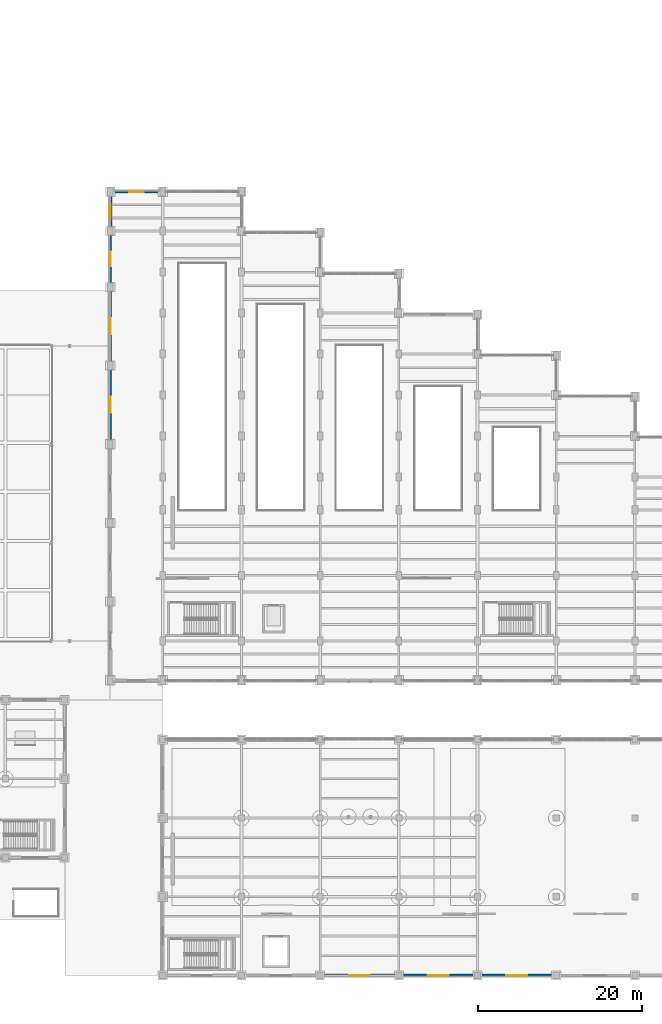
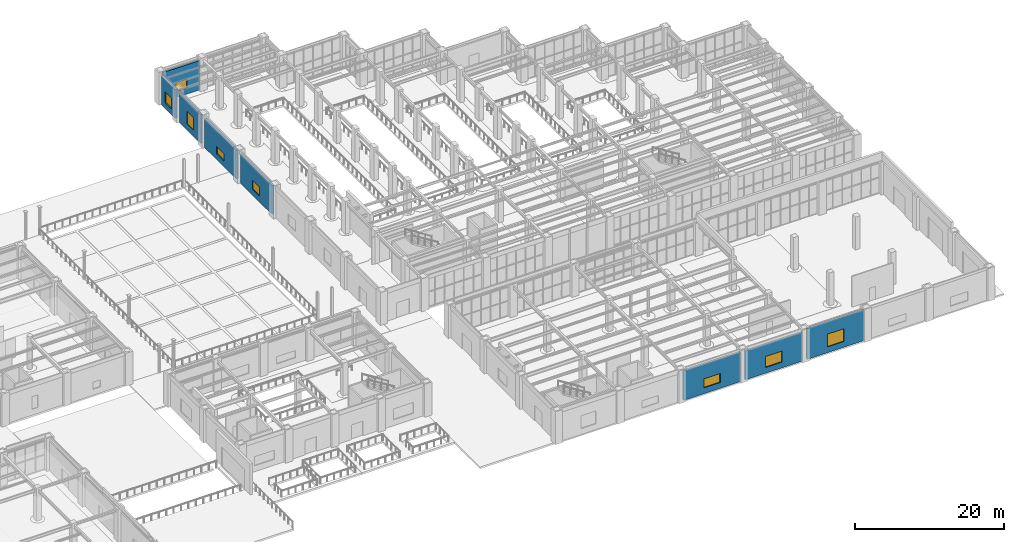
# One storey, part 135 of 164: 8 walls, 8 windows, 8 openings.
"""IFC4 building model written with IfcOpenShell, lengths in metres."""

from ifc_helpers import new_model, si_unit, direction, frame, frame_2d, origin, place, context, subcontext, project, spatial, rectangle, extrude, material, layer, layer_set, type_object, element, fill, save


model = new_model("IFC4")

# Units and contexts
model_context = context("Model", 3, precision=1e-05, world=origin(), true_north=direction((0.0, 1.0)))
body_context = subcontext(model_context, "Body", "Model", "MODEL_VIEW")
ifc_project = project(units=[si_unit("LENGTHUNIT", "METRE"), si_unit("AREAUNIT", "SQUARE_METRE"), si_unit("VOLUMEUNIT", "CUBIC_METRE"), si_unit("PLANEANGLEUNIT", "RADIAN"), si_unit("MASSUNIT", "GRAM", prefix="KILO")], contexts=[model_context])

# Site, building, storey
site_placement = place(None, origin())
site = spatial("IfcSite", under=ifc_project, at=site_placement, CompositionType="ELEMENT")
building_placement = place(site_placement, origin())
building = spatial("IfcBuilding", under=site, at=building_placement, Name="Mavantir Sound Aquarium", CompositionType="ELEMENT")
storey_placement = place(building_placement, origin())
storey = spatial("IfcBuildingStorey", under=building, at=storey_placement, Name="L00", CompositionType="ELEMENT", Elevation=0.0)

# Wall, opening, window
ifc_material_1 = material(Name="Coral-Buff Architectural Precast Concrete C40/50", Category="concrete")
ifc_layer_1 = layer(ifc_material_1, 0.31005859375, Name="Coral-Buff Architectural Precast Concrete C40/50")
ifc_layer_set_1 = layer_set([ifc_layer_1], Name="Coral-Buff Architectural Precast Concrete C40/50")
wall_type_1 = type_object("IfcWallType", Name="EW-CORAL-310", PredefinedType="SOLIDWALL", material=ifc_layer_set_1)
wall_1_placement = place(storey_placement, frame((101.60009765625, 73.89208984375, 0.0), z_axis=(0.0, 0.0, 1.0), x_axis=(0.0, -1.0, 0.0)))
wall_1 = element("IfcWall", 1, at=wall_1_placement, inside=storey, type_object=wall_type_1, Name="L00 exterior facade wall EW-02 92", PredefinedType="SOLIDWALL", context=body_context, shape_type="SweptSolid", body=[
    extrude(rectangle(XDim=8.583984375, YDim=0.31005859375, at=frame_2d((4.2919921875, 0.0))), origin(), (0.0, 0.0, 1.0), 4.736083984375),
])
opening_1_placement = place(wall_1_placement, frame((3.31689453125, 0.0, 0.949951171875)))
opening_1 = element("IfcOpeningElement", 2, at=opening_1_placement, cuts=wall_1, Name="Opening W-22", PredefinedType="OPENING", context=body_context, shape_type="SweptSolid", body=[
    extrude(rectangle(XDim=1.949951171875, YDim=1.5, at=frame_2d((0.97509765625, 0.75))), frame((0.0, 0.1650390625, 0.0), z_axis=(0.0, -1.0, 0.0), x_axis=(1.0, 0.0, 0.0)), (0.0, 0.0, 1.0), 0.330078125),
])
ifc_material_2 = material(Name="Thermally Broken Aluminium and Low-E Glass", Category="aluminium")
window_type_1 = type_object("IfcWindowType", Name="WIN-EXT-22", PartitioningType="DOUBLE_PANEL_VERTICAL", PredefinedType="WINDOW", material=ifc_material_2)
window_1_placement = place(opening_1_placement, origin())
window_1 = element("IfcWindow", 3, at=window_1_placement, inside=storey, type_object=window_type_1, Name="L00 facade window W-22 22", OverallHeight=1.5, OverallWidth=1.949951171875, PartitioningType="SINGLE_PANEL", PredefinedType="WINDOW", context=body_context, shape_type="SweptSolid", body=[
    extrude(rectangle(XDim=1.949951171875, YDim=1.5, at=frame_2d((0.97509765625, 0.75))), frame((0.0, 0.030029296875, 0.0), z_axis=(0.0, -1.0, 0.0), x_axis=(1.0, 0.0, 0.0)), (0.0, 0.0, 1.0), 0.06005859375),
])
fill(opening_1, window_1)

wall_2_placement = place(storey_placement, frame((137.18310546875, 0.0, 0.0), z_axis=(0.0, 0.0, 1.0), x_axis=(1.0, 0.0, 0.0)))
wall_2 = element("IfcWall", 4, at=wall_2_placement, inside=storey, type_object=wall_type_1, Name="L00 exterior facade wall EW-02 122", PredefinedType="SOLIDWALL", context=body_context, shape_type="SweptSolid", body=[
    extrude(rectangle(XDim=8.833984375, YDim=0.31005859375, at=frame_2d((4.4169921875, 0.0))), origin(), (0.0, 0.0, 1.0), 4.7080078125),
])
opening_2_placement = place(wall_2_placement, frame((3.14208984375, 0.0, 0.949951171875)))
opening_2 = element("IfcOpeningElement", 5, at=opening_2_placement, cuts=wall_2, Name="Opening W-35", PredefinedType="OPENING", context=body_context, shape_type="SweptSolid", body=[
    extrude(rectangle(XDim=2.550048828125, YDim=1.800048828125, at=frame_2d((1.27490234375, 0.89990234375))), frame((0.0, 0.1650390625, 0.0), z_axis=(0.0, -1.0, 0.0), x_axis=(1.0, 0.0, 0.0)), (0.0, 0.0, 1.0), 0.330078125),
])
window_type_2 = type_object("IfcWindowType", Name="WIN-EXT-35", PartitioningType="TRIPLE_PANEL_VERTICAL", PredefinedType="WINDOW", material=ifc_material_2)
window_2_placement = place(opening_2_placement, origin())
window_2 = element("IfcWindow", 6, at=window_2_placement, inside=storey, type_object=window_type_2, Name="L00 facade window W-35 35", OverallHeight=1.800048828125, OverallWidth=2.550048828125, PartitioningType="SINGLE_PANEL", PredefinedType="WINDOW", context=body_context, shape_type="SweptSolid", body=[
    extrude(rectangle(XDim=2.550048828125, YDim=1.800048828125, at=frame_2d((1.27490234375, 0.89990234375))), frame((0.0, 0.030029296875, 0.0), z_axis=(0.0, -1.0, 0.0), x_axis=(1.0, 0.0, 0.0)), (0.0, 0.0, 1.0), 0.06005859375),
])
fill(opening_2, window_2)

ifc_layer_2 = layer(ifc_material_1, 0.340087890625, Name="Coral-Buff Architectural Precast Concrete C40/50")
ifc_layer_set_2 = layer_set([ifc_layer_2], Name="Coral-Buff Architectural Precast Concrete C40/50")
wall_type_2 = type_object("IfcWallType", Name="EW-CORAL-340", PredefinedType="SOLIDWALL", material=ifc_layer_set_2)
wall_3_placement = place(storey_placement, frame((101.60009765625, 83.491943359375, 0.0), z_axis=(0.0, 0.0, 1.0), x_axis=(0.0, -1.0, 0.0)))
wall_3 = element("IfcWall", 7, at=wall_3_placement, inside=storey, type_object=wall_type_2, Name="L00 exterior facade wall EW-01 91", PredefinedType="SOLIDWALL", context=body_context, shape_type="SweptSolid", body=[
    extrude(rectangle(XDim=8.583984375, YDim=0.340087890625, at=frame_2d((4.2919921875, 0.0))), origin(), (0.0, 0.0, 1.0), 4.736083984375),
])
opening_3_placement = place(wall_3_placement, frame((3.31689453125, 0.0, 0.949951171875)))
opening_3 = element("IfcOpeningElement", 8, at=opening_3_placement, cuts=wall_3, Name="Opening W-21", PredefinedType="OPENING", context=body_context, shape_type="SweptSolid", body=[
    extrude(rectangle(XDim=1.949951171875, YDim=1.199951171875, at=frame_2d((0.97509765625, 0.60009765625))), frame((0.0, 0.18017578125, 0.0), z_axis=(0.0, -1.0, 0.0), x_axis=(1.0, 0.0, 0.0)), (0.0, 0.0, 1.0), 0.360107421875),
])
window_type_3 = type_object("IfcWindowType", Name="WIN-EXT-21", PartitioningType="DOUBLE_PANEL_VERTICAL", PredefinedType="WINDOW", material=ifc_material_2)
window_3_placement = place(opening_3_placement, origin())
window_3 = element("IfcWindow", 9, at=window_3_placement, inside=storey, type_object=window_type_3, Name="L00 facade window W-21 21", OverallHeight=1.199951171875, OverallWidth=1.949951171875, PartitioningType="SINGLE_PANEL", PredefinedType="WINDOW", context=body_context, shape_type="SweptSolid", body=[
    extrude(rectangle(XDim=1.949951171875, YDim=1.199951171875, at=frame_2d((0.97509765625, 0.60009765625))), frame((0.0, 0.030029296875, 0.0), z_axis=(0.0, -1.0, 0.0), x_axis=(1.0, 0.0, 0.0)), (0.0, 0.0, 1.0), 0.06005859375),
])
fill(opening_3, window_3)

wall_4_placement = place(storey_placement, frame((127.5830078125, 0.0, 0.0), z_axis=(0.0, 0.0, 1.0), x_axis=(1.0, 0.0, 0.0)))
wall_4 = element("IfcWall", 10, at=wall_4_placement, inside=storey, type_object=wall_type_2, Name="L00 exterior facade wall EW-01 121", PredefinedType="SOLIDWALL", context=body_context, shape_type="SweptSolid", body=[
    extrude(rectangle(XDim=8.833984375, YDim=0.340087890625, at=frame_2d((4.4169921875, 0.0))), origin(), (0.0, 0.0, 1.0), 4.81298828125),
])
opening_4_placement = place(wall_4_placement, frame((3.14208984375, 0.0, 0.949951171875)))
opening_4 = element("IfcOpeningElement", 11, at=opening_4_placement, cuts=wall_4, Name="Opening W-34", PredefinedType="OPENING", context=body_context, shape_type="SweptSolid", body=[
    extrude(rectangle(XDim=2.550048828125, YDim=1.5, at=frame_2d((1.27490234375, 0.75))), frame((0.0, 0.18017578125, 0.0), z_axis=(0.0, -1.0, 0.0), x_axis=(1.0, 0.0, 0.0)), (0.0, 0.0, 1.0), 0.360107421875),
])
window_type_4 = type_object("IfcWindowType", Name="WIN-EXT-34", PartitioningType="TRIPLE_PANEL_VERTICAL", PredefinedType="WINDOW", material=ifc_material_2)
window_4_placement = place(opening_4_placement, origin())
window_4 = element("IfcWindow", 12, at=window_4_placement, inside=storey, type_object=window_type_4, Name="L00 facade window W-34 34", OverallHeight=1.5, OverallWidth=2.550048828125, PartitioningType="SINGLE_PANEL", PredefinedType="WINDOW", context=body_context, shape_type="SweptSolid", body=[
    extrude(rectangle(XDim=2.550048828125, YDim=1.5, at=frame_2d((1.27490234375, 0.75))), frame((0.0, 0.030029296875, 0.0), z_axis=(0.0, -1.0, 0.0), x_axis=(1.0, 0.0, 0.0)), (0.0, 0.0, 1.0), 0.06005859375),
])
fill(opening_4, window_4)

ifc_material_3 = material(Name="Architectural Precast Concrete C40/50", Category="concrete")
ifc_layer_3 = layer(ifc_material_3, 0.239990234375, Name="Architectural Precast Concrete C40/50")
ifc_layer_set_3 = layer_set([ifc_layer_3], Name="Architectural Precast Concrete C40/50")
wall_type_3 = type_object("IfcWallType", Name="EW-PRE-240", PredefinedType="SOLIDWALL", material=ifc_layer_set_3)
wall_5_placement = place(storey_placement, frame((101.60009765625, 90.2919921875, 0.0), z_axis=(0.0, 0.0, 1.0), x_axis=(0.0, -1.0, 0.0)))
wall_5 = element("IfcWall", 13, at=wall_5_placement, inside=storey, type_object=wall_type_3, Name="L00 exterior facade wall EW-06 90", PredefinedType="SOLIDWALL", context=body_context, shape_type="SweptSolid", body=[
    extrude(rectangle(XDim=5.783935546875, YDim=0.239990234375, at=frame_2d((2.89208984375, 0.0))), origin(), (0.0, 0.0, 1.0), 4.736083984375),
])
opening_5_placement = place(wall_5_placement, frame((2.01708984375, 0.0, 0.949951171875)))
opening_5 = element("IfcOpeningElement", 14, at=opening_5_placement, cuts=wall_5, Name="Opening W-20", PredefinedType="OPENING", context=body_context, shape_type="SweptSolid", body=[
    extrude(rectangle(XDim=1.75, YDim=2.10009765625, at=frame_2d((0.875, 1.050048828125))), frame((0.0, 0.1298828125, 0.0), z_axis=(0.0, -1.0, 0.0), x_axis=(1.0, 0.0, 0.0)), (0.0, 0.0, 1.0), 0.260009765625),
])
window_type_5 = type_object("IfcWindowType", Name="WIN-EXT-20", PartitioningType="DOUBLE_PANEL_VERTICAL", PredefinedType="WINDOW", material=ifc_material_2)
window_5_placement = place(opening_5_placement, origin())
window_5 = element("IfcWindow", 15, at=window_5_placement, inside=storey, type_object=window_type_5, Name="L00 facade window W-20 20", OverallHeight=2.10009765625, OverallWidth=1.75, PartitioningType="SINGLE_PANEL", PredefinedType="WINDOW", context=body_context, shape_type="SweptSolid", body=[
    extrude(rectangle(XDim=1.75, YDim=2.10009765625, at=frame_2d((0.875, 1.050048828125))), frame((0.0, 0.030029296875, 0.0), z_axis=(0.0, -1.0, 0.0), x_axis=(1.0, 0.0, 0.0)), (0.0, 0.0, 1.0), 0.06005859375),
])
fill(opening_5, window_5)

ifc_layer_4 = layer(ifc_material_1, 0.360107421875, Name="Coral-Buff Architectural Precast Concrete C40/50")
ifc_layer_set_4 = layer_set([ifc_layer_4], Name="Coral-Buff Architectural Precast Concrete C40/50")
wall_type_4 = type_object("IfcWallType", Name="EW-PRE-360", PredefinedType="SOLIDWALL", material=ifc_layer_set_4)
wall_6_placement = place(storey_placement, frame((101.60009765625, 95.092041015625, 0.0), z_axis=(0.0, 0.0, 1.0), x_axis=(0.0, -1.0, 0.0)))
wall_6 = element("IfcWall", 16, at=wall_6_placement, inside=storey, type_object=wall_type_4, Name="L00 exterior facade wall EW-05 89", PredefinedType="SOLIDWALL", context=body_context, shape_type="SweptSolid", body=[
    extrude(rectangle(XDim=3.783935546875, YDim=0.360107421875, at=frame_2d((1.89208984375, 0.0))), origin(), (0.0, 0.0, 1.0), 4.72607421875),
])
opening_6_placement = place(wall_6_placement, frame((1.01708984375, 0.0, 0.949951171875)))
opening_6 = element("IfcOpeningElement", 17, at=opening_6_placement, cuts=wall_6, Name="Opening W-19", PredefinedType="OPENING", context=body_context, shape_type="SweptSolid", body=[
    extrude(rectangle(XDim=1.75, YDim=1.800048828125, at=frame_2d((0.875, 0.89990234375))), frame((0.0, 0.18994140625, 0.0), z_axis=(0.0, -1.0, 0.0), x_axis=(1.0, 0.0, 0.0)), (0.0, 0.0, 1.0), 0.380126953125),
])
window_type_6 = type_object("IfcWindowType", Name="WIN-EXT-19", PartitioningType="DOUBLE_PANEL_VERTICAL", PredefinedType="WINDOW", material=ifc_material_2)
window_6_placement = place(opening_6_placement, origin())
window_6 = element("IfcWindow", 18, at=window_6_placement, inside=storey, type_object=window_type_6, Name="L00 facade window W-19 19", OverallHeight=1.800048828125, OverallWidth=1.75, PartitioningType="SINGLE_PANEL", PredefinedType="WINDOW", context=body_context, shape_type="SweptSolid", body=[
    extrude(rectangle(XDim=1.75, YDim=1.800048828125, at=frame_2d((0.875, 0.89990234375))), frame((0.0, 0.030029296875, 0.0), z_axis=(0.0, -1.0, 0.0), x_axis=(1.0, 0.0, 0.0)), (0.0, 0.0, 1.0), 0.06005859375),
])
fill(opening_6, window_6)

ifc_material_4 = material(Name="Cerulean Glazed Terracotta Rainscreen on Concrete C40/50", Category="masonry")
ifc_layer_5 = layer(ifc_material_4, 0.27001953125, Name="Cerulean Glazed Terracotta Rainscreen on Concrete C40/50")
ifc_layer_set_5 = layer_set([ifc_layer_5], Name="Cerulean Glazed Terracotta Rainscreen on Concrete C40/50")
wall_type_5 = type_object("IfcWallType", Name="EW-TERRA-270", PredefinedType="SOLIDWALL", material=ifc_layer_set_5)
wall_7_placement = place(storey_placement, frame((107.64208984375, 95.60009765625, 0.0), z_axis=(0.0, 0.0, 1.0), x_axis=(-1.0, 0.0, 0.0)))
wall_7 = element("IfcWall", 19, at=wall_7_placement, inside=storey, type_object=wall_type_5, Name="L00 exterior facade wall EW-04 88", PredefinedType="SOLIDWALL", context=body_context, shape_type="SweptSolid", body=[
    extrude(rectangle(XDim=5.68408203125, YDim=0.27001953125, at=frame_2d((2.842041015625, 0.0))), origin(), (0.0, 0.0, 1.0), 4.8330078125),
])
opening_7_placement = place(wall_7_placement, frame((1.967041015625, 0.0, 0.949951171875)))
opening_7 = element("IfcOpeningElement", 20, at=opening_7_placement, cuts=wall_7, Name="Opening W-18", PredefinedType="OPENING", context=body_context, shape_type="SweptSolid", body=[
    extrude(rectangle(XDim=1.75, YDim=1.5, at=frame_2d((0.875, 0.75))), frame((0.0, 0.14501953125, 0.0), z_axis=(0.0, -1.0, 0.0), x_axis=(1.0, 0.0, 0.0)), (0.0, 0.0, 1.0), 0.2900390625),
])
window_type_7 = type_object("IfcWindowType", Name="WIN-EXT-18", PartitioningType="DOUBLE_PANEL_VERTICAL", PredefinedType="WINDOW", material=ifc_material_2)
window_7_placement = place(opening_7_placement, origin())
window_7 = element("IfcWindow", 21, at=window_7_placement, inside=storey, type_object=window_type_7, Name="L00 facade window W-18 18", OverallHeight=1.5, OverallWidth=1.75, PartitioningType="SINGLE_PANEL", PredefinedType="WINDOW", context=body_context, shape_type="SweptSolid", body=[
    extrude(rectangle(XDim=1.75, YDim=1.5, at=frame_2d((0.875, 0.75))), frame((0.0, 0.030029296875, 0.0), z_axis=(0.0, -1.0, 0.0), x_axis=(1.0, 0.0, 0.0)), (0.0, 0.0, 1.0), 0.06005859375),
])
fill(opening_7, window_7)

ifc_material_5 = material(Name="Turquoise Glazed Terracotta Rainscreen on Concrete C40/50", Category="masonry")
ifc_layer_6 = layer(ifc_material_5, 0.2900390625, Name="Turquoise Glazed Terracotta Rainscreen on Concrete C40/50")
ifc_layer_set_6 = layer_set([ifc_layer_6], Name="Turquoise Glazed Terracotta Rainscreen on Concrete C40/50")
wall_type_6 = type_object("IfcWallType", Name="EW-TERRA-290", PredefinedType="SOLIDWALL", material=ifc_layer_set_6)
wall_8_placement = place(storey_placement, frame((146.782958984375, 0.0, 0.0), z_axis=(0.0, 0.0, 1.0), x_axis=(1.0, 0.0, 0.0)))
wall_8 = element("IfcWall", 22, at=wall_8_placement, inside=storey, type_object=wall_type_6, Name="L00 exterior facade wall EW-03 123", PredefinedType="SOLIDWALL", context=body_context, shape_type="SweptSolid", body=[
    extrude(rectangle(XDim=8.833984375, YDim=0.2900390625, at=frame_2d((4.4169921875, 0.0))), origin(), (0.0, 0.0, 1.0), 5.046875),
])
opening_8_placement = place(wall_8_placement, frame((3.14208984375, 0.0, 0.949951171875)))
opening_8 = element("IfcOpeningElement", 23, at=opening_8_placement, cuts=wall_8, Name="Opening W-36", PredefinedType="OPENING", context=body_context, shape_type="SweptSolid", body=[
    extrude(rectangle(XDim=2.550048828125, YDim=2.10009765625, at=frame_2d((1.27490234375, 1.050048828125))), frame((0.0, 0.155029296875, 0.0), z_axis=(0.0, -1.0, 0.0), x_axis=(1.0, 0.0, 0.0)), (0.0, 0.0, 1.0), 0.31005859375),
])
window_type_8 = type_object("IfcWindowType", Name="WIN-EXT-36", PartitioningType="TRIPLE_PANEL_VERTICAL", PredefinedType="WINDOW", material=ifc_material_2)
window_8_placement = place(opening_8_placement, origin())
window_8 = element("IfcWindow", 24, at=window_8_placement, inside=storey, type_object=window_type_8, Name="L00 facade window W-36 36", OverallHeight=2.10009765625, OverallWidth=2.550048828125, PartitioningType="SINGLE_PANEL", PredefinedType="WINDOW", context=body_context, shape_type="SweptSolid", body=[
    extrude(rectangle(XDim=2.550048828125, YDim=2.10009765625, at=frame_2d((1.27490234375, 1.050048828125))), frame((0.0, 0.030029296875, 0.0), z_axis=(0.0, -1.0, 0.0), x_axis=(1.0, 0.0, 0.0)), (0.0, 0.0, 1.0), 0.06005859375),
])
fill(opening_8, window_8)

save(model, "model.ifc")
